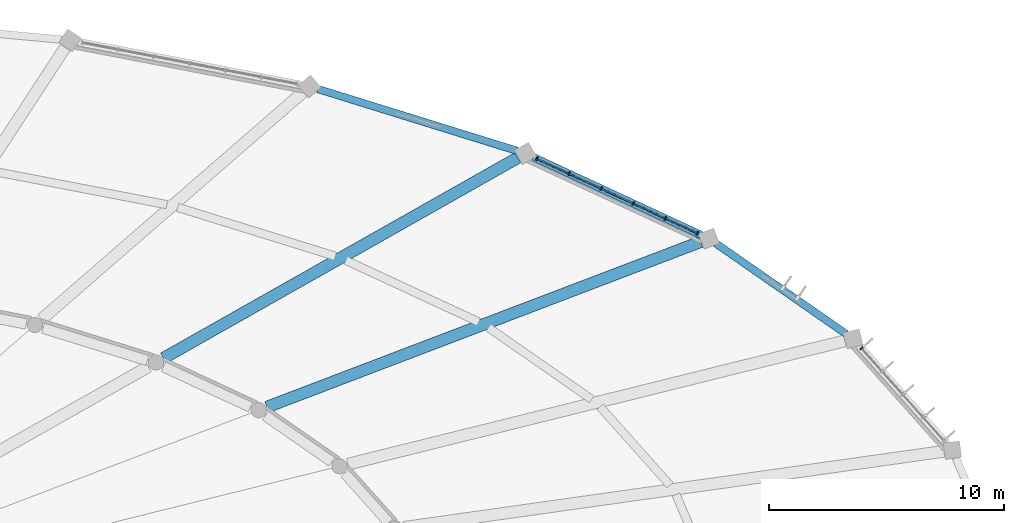
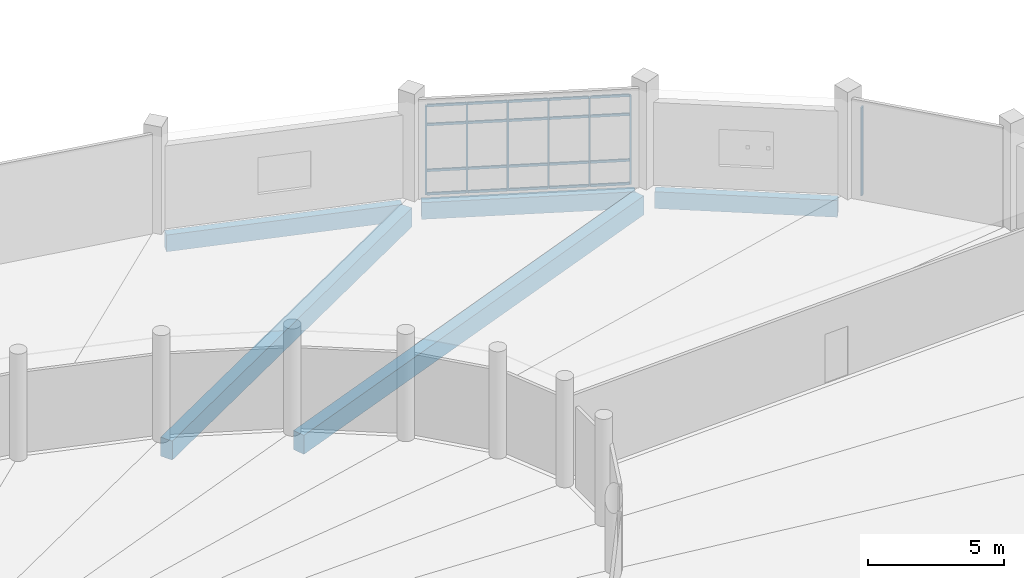
# One storey, part 83 of 179: 27 members, 5 beams, 2 elements without a shape of their own.
"""IFC4 building model written with IfcOpenShell, lengths in metres."""

from ifc_helpers import new_model, si_unit, direction, frame, origin, origin_2d, place, context, subcontext, project, spatial, rectangle, extrude, material, layer, layer_set, material_profile, profile_set, type_object, element, aggregate, save


model = new_model("IFC4")

# Units and contexts
model_context = context("Model", 3, precision=1e-05, world=origin(), true_north=direction((0.0, 1.0)))
body_context = subcontext(model_context, "Body", "Model", "MODEL_VIEW")
ifc_project = project(units=[si_unit("LENGTHUNIT", "METRE"), si_unit("AREAUNIT", "SQUARE_METRE"), si_unit("VOLUMEUNIT", "CUBIC_METRE"), si_unit("PLANEANGLEUNIT", "RADIAN"), si_unit("MASSUNIT", "GRAM", prefix="KILO")], contexts=[model_context])

# Site, building, storey
site_placement = place(None, origin())
site = spatial("IfcSite", under=ifc_project, at=site_placement, CompositionType="ELEMENT")
building_placement = place(site_placement, origin())
building = spatial("IfcBuilding", under=site, at=building_placement, Name="Corvandel Quay Wholesale Market", CompositionType="ELEMENT")
storey_placement = place(building_placement, frame((0.0, 0.0, 6.0)))
storey = spatial("IfcBuildingStorey", under=building, at=storey_placement, Name="L01", CompositionType="ELEMENT", Elevation=6.0)

# Curtain wall, member
ifc_material_1 = material(Name="Bronze anodised aluminium and low-E insulated glazing", Category="aluminium")
ifc_layer_1 = layer(ifc_material_1, 0.18603515625)
ifc_layer_set_1 = layer_set([ifc_layer_1], Name="Bronze anodised aluminium and low-E insulated glazing")
curtain_wall_type_1 = type_object("IfcCurtainWallType", Name="Stick Curtain Wall System CW08 H3720", PredefinedType="NOTDEFINED", material=ifc_layer_set_1)
curtain_wall_1_placement = place(storey_placement, origin())
curtain_wall_1 = element("IfcCurtainWall", 1, at=curtain_wall_1_placement, inside=storey, type_object=curtain_wall_type_1, Name="Curtain Wall CW-0091", PredefinedType="NOTDEFINED")
ifc_material_2 = material(Name="Anodised aluminium 6063-T6", Category="aluminium")
ifc_material_profile_1 = material_profile(ifc_material_2, rectangle(XDim=0.06494140625, YDim=0.14990234375, at=origin_2d()), Name="ALU-MUL-65x150")
ifc_profile_set_1 = profile_set([ifc_material_profile_1], Name="Anodised aluminium 6063-T6")
member_type_1 = type_object("IfcMemberType", Name="Curtain Wall Mullion ML02 65x150", PredefinedType="MULLION", material=ifc_profile_set_1)
member_1_placement = place(storey_placement, frame((163.986328125, 127.9130859375, 0.0), z_axis=(0.0, 0.0, 1.0), x_axis=(-0.665621202286, 0.746289766155, 0.0)))
member_1 = element("IfcMember", 2, at=member_1_placement, type_object=member_type_1, Name="Mullion CW-0091-M04", PredefinedType="MULLION", context=body_context, shape_type="SweptSolid", body=[
    extrude(rectangle(XDim=0.06494140625, YDim=0.14990234375, at=origin_2d()), origin(), (0.0, 0.0, 1.0), 3.949951171875),
])
aggregate(curtain_wall_1, [member_1])

# Curtain wall, members
ifc_layer_2 = layer(ifc_material_1, 0.14990234375)
ifc_layer_set_2 = layer_set([ifc_layer_2], Name="Bronze anodised aluminium and low-E insulated glazing")
curtain_wall_type_2 = type_object("IfcCurtainWallType", Name="Stick Curtain Wall System CW10 H3900", PredefinedType="NOTDEFINED", material=ifc_layer_set_2)
curtain_wall_2_placement = place(storey_placement, origin())
curtain_wall_2 = element("IfcCurtainWall", 3, at=curtain_wall_2_placement, inside=storey, type_object=curtain_wall_type_2, Name="Curtain Wall CW-0093", PredefinedType="NOTDEFINED")
member_2_placement = place(storey_placement, frame((157.00830078125, 132.801513671875, 0.0), z_axis=(0.0, 0.0, 1.0), x_axis=(-0.906970515865, 0.421194115999, 0.0)))
member_2 = element("IfcMember", 4, at=member_2_placement, type_object=member_type_1, Name="Mullion CW-0093-M00", PredefinedType="MULLION", context=body_context, shape_type="SweptSolid", body=[
    extrude(rectangle(XDim=0.06494140625, YDim=0.14990234375, at=origin_2d()), origin(), (0.0, 0.0, 1.0), 3.949951171875),
])
member_3_placement = place(storey_placement, frame((155.64404296875, 133.434814453125, 0.0), z_axis=(0.0, 0.0, 1.0), x_axis=(-0.906970515865, 0.421194115999, 0.0)))
member_3 = element("IfcMember", 5, at=member_3_placement, type_object=member_type_1, Name="Mullion CW-0093-M01", PredefinedType="MULLION", context=body_context, shape_type="SweptSolid", body=[
    extrude(rectangle(XDim=0.06494140625, YDim=0.14990234375, at=origin_2d()), origin(), (0.0, 0.0, 1.0), 3.949951171875),
])
member_4_placement = place(storey_placement, frame((154.280029296875, 134.068359375, 0.0), z_axis=(0.0, 0.0, 1.0), x_axis=(-0.906970515865, 0.421194115999, 0.0)))
member_4 = element("IfcMember", 6, at=member_4_placement, type_object=member_type_1, Name="Mullion CW-0093-M02", PredefinedType="MULLION", context=body_context, shape_type="SweptSolid", body=[
    extrude(rectangle(XDim=0.06494140625, YDim=0.14990234375, at=origin_2d()), origin(), (0.0, 0.0, 1.0), 3.949951171875),
])
member_5_placement = place(storey_placement, frame((152.916015625, 134.70166015625, 0.0), z_axis=(0.0, 0.0, 1.0), x_axis=(-0.906970515865, 0.421194115999, 0.0)))
member_5 = element("IfcMember", 7, at=member_5_placement, type_object=member_type_1, Name="Mullion CW-0093-M03", PredefinedType="MULLION", context=body_context, shape_type="SweptSolid", body=[
    extrude(rectangle(XDim=0.06494140625, YDim=0.14990234375, at=origin_2d()), origin(), (0.0, 0.0, 1.0), 3.949951171875),
])
member_6_placement = place(storey_placement, frame((151.552001953125, 135.335205078125, 0.0), z_axis=(0.0, 0.0, 1.0), x_axis=(-0.906970515865, 0.421194115999, 0.0)))
member_6 = element("IfcMember", 8, at=member_6_placement, type_object=member_type_1, Name="Mullion CW-0093-M04", PredefinedType="MULLION", context=body_context, shape_type="SweptSolid", body=[
    extrude(rectangle(XDim=0.06494140625, YDim=0.14990234375, at=origin_2d()), origin(), (0.0, 0.0, 1.0), 3.949951171875),
])
member_7_placement = place(storey_placement, frame((150.187744140625, 135.968505859375, 0.0), z_axis=(0.0, 0.0, 1.0), x_axis=(-0.906970515865, 0.421194115999, 0.0)))
member_7 = element("IfcMember", 9, at=member_7_placement, type_object=member_type_1, Name="Mullion CW-0093-M05", PredefinedType="MULLION", context=body_context, shape_type="SweptSolid", body=[
    extrude(rectangle(XDim=0.06494140625, YDim=0.14990234375, at=origin_2d()), origin(), (0.0, 0.0, 1.0), 3.949951171875),
])
ifc_material_profile_2 = material_profile(ifc_material_2, rectangle(XDim=0.06005859375, YDim=0.110107421875, at=origin_2d()), Name="ALU-TRN-60x110")
ifc_profile_set_2 = profile_set([ifc_material_profile_2], Name="Anodised aluminium 6063-T6")
member_type_2 = type_object("IfcMemberType", Name="Curtain Wall Transom TR02 60x110", PredefinedType="USERDEFINED", material=ifc_profile_set_2)
member_8_placement = place(storey_placement, frame((156.978759765625, 132.815185546875, 0.0), z_axis=(-0.90701359646, 0.421101336778, 0.0), x_axis=(-0.421101336778, -0.90701359646, 0.0)))
member_8 = element("IfcMember", 10, at=member_8_placement, type_object=member_type_2, Name="Transom CW-0093-T00-0", ObjectType="TRANSOM", PredefinedType="USERDEFINED", context=body_context, shape_type="SweptSolid", body=[
    extrude(rectangle(XDim=0.06005859375, YDim=0.110107421875, at=origin_2d()), origin(), (0.0, 0.0, 1.0), 1.43896484375),
])
member_9_placement = place(storey_placement, frame((156.978759765625, 132.815185546875, 1.050048828125), z_axis=(-0.90701359646, 0.421101336778, 0.0), x_axis=(-0.421101336778, -0.90701359646, 0.0)))
member_9 = element("IfcMember", 11, at=member_9_placement, type_object=member_type_2, Name="Transom CW-0093-T00-1", ObjectType="TRANSOM", PredefinedType="USERDEFINED", context=body_context, shape_type="SweptSolid", body=[
    extrude(rectangle(XDim=0.06005859375, YDim=0.110107421875, at=origin_2d()), origin(), (0.0, 0.0, 1.0), 1.43896484375),
])
member_10_placement = place(storey_placement, frame((156.978759765625, 132.815185546875, 3.10009765625), z_axis=(-0.90701359646, 0.421101336778, 0.0), x_axis=(-0.421101336778, -0.90701359646, 0.0)))
member_10 = element("IfcMember", 12, at=member_10_placement, type_object=member_type_2, Name="Transom CW-0093-T00-2", ObjectType="TRANSOM", PredefinedType="USERDEFINED", context=body_context, shape_type="SweptSolid", body=[
    extrude(rectangle(XDim=0.06005859375, YDim=0.110107421875, at=origin_2d()), origin(), (0.0, 0.0, 1.0), 1.43896484375),
])
member_11_placement = place(storey_placement, frame((156.978759765625, 132.815185546875, 3.949951171875), z_axis=(-0.90701359646, 0.421101336778, 0.0), x_axis=(-0.421101336778, -0.90701359646, 0.0)))
member_11 = element("IfcMember", 13, at=member_11_placement, type_object=member_type_2, Name="Transom CW-0093-T00-3", ObjectType="TRANSOM", PredefinedType="USERDEFINED", context=body_context, shape_type="SweptSolid", body=[
    extrude(rectangle(XDim=0.06005859375, YDim=0.110107421875, at=origin_2d()), origin(), (0.0, 0.0, 1.0), 1.43896484375),
])
member_12_placement = place(storey_placement, frame((155.614501953125, 133.448486328125, 0.0), z_axis=(-0.90691867852, 0.421305721004, 0.0), x_axis=(-0.421305721004, -0.90691867852, 0.0)))
member_12 = element("IfcMember", 14, at=member_12_placement, type_object=member_type_2, Name="Transom CW-0093-T01-0", ObjectType="TRANSOM", PredefinedType="USERDEFINED", context=body_context, shape_type="SweptSolid", body=[
    extrude(rectangle(XDim=0.06005859375, YDim=0.110107421875, at=origin_2d()), origin(), (0.0, 0.0, 1.0), 1.43896484375),
])
member_13_placement = place(storey_placement, frame((155.614501953125, 133.448486328125, 1.050048828125), z_axis=(-0.90691867852, 0.421305721004, 0.0), x_axis=(-0.421305721004, -0.90691867852, 0.0)))
member_13 = element("IfcMember", 15, at=member_13_placement, type_object=member_type_2, Name="Transom CW-0093-T01-1", ObjectType="TRANSOM", PredefinedType="USERDEFINED", context=body_context, shape_type="SweptSolid", body=[
    extrude(rectangle(XDim=0.06005859375, YDim=0.110107421875, at=origin_2d()), origin(), (0.0, 0.0, 1.0), 1.43896484375),
])
member_14_placement = place(storey_placement, frame((155.614501953125, 133.448486328125, 3.10009765625), z_axis=(-0.90691867852, 0.421305721004, 0.0), x_axis=(-0.421305721004, -0.90691867852, 0.0)))
member_14 = element("IfcMember", 16, at=member_14_placement, type_object=member_type_2, Name="Transom CW-0093-T01-2", ObjectType="TRANSOM", PredefinedType="USERDEFINED", context=body_context, shape_type="SweptSolid", body=[
    extrude(rectangle(XDim=0.06005859375, YDim=0.110107421875, at=origin_2d()), origin(), (0.0, 0.0, 1.0), 1.43896484375),
])
member_15_placement = place(storey_placement, frame((155.614501953125, 133.448486328125, 3.949951171875), z_axis=(-0.90691867852, 0.421305721004, 0.0), x_axis=(-0.421305721004, -0.90691867852, 0.0)))
member_15 = element("IfcMember", 17, at=member_15_placement, type_object=member_type_2, Name="Transom CW-0093-T01-3", ObjectType="TRANSOM", PredefinedType="USERDEFINED", context=body_context, shape_type="SweptSolid", body=[
    extrude(rectangle(XDim=0.06005859375, YDim=0.110107421875, at=origin_2d()), origin(), (0.0, 0.0, 1.0), 1.43896484375),
])
member_16_placement = place(storey_placement, frame((154.25048828125, 134.08203125, 0.0), z_axis=(-0.90701359646, 0.421101336778, 0.0), x_axis=(-0.421101336778, -0.90701359646, 0.0)))
member_16 = element("IfcMember", 18, at=member_16_placement, type_object=member_type_2, Name="Transom CW-0093-T02-0", ObjectType="TRANSOM", PredefinedType="USERDEFINED", context=body_context, shape_type="SweptSolid", body=[
    extrude(rectangle(XDim=0.06005859375, YDim=0.110107421875, at=origin_2d()), origin(), (0.0, 0.0, 1.0), 1.43896484375),
])
member_17_placement = place(storey_placement, frame((154.25048828125, 134.08203125, 1.050048828125), z_axis=(-0.90701359646, 0.421101336778, 0.0), x_axis=(-0.421101336778, -0.90701359646, 0.0)))
member_17 = element("IfcMember", 19, at=member_17_placement, type_object=member_type_2, Name="Transom CW-0093-T02-1", ObjectType="TRANSOM", PredefinedType="USERDEFINED", context=body_context, shape_type="SweptSolid", body=[
    extrude(rectangle(XDim=0.06005859375, YDim=0.110107421875, at=origin_2d()), origin(), (0.0, 0.0, 1.0), 1.43896484375),
])
member_18_placement = place(storey_placement, frame((154.25048828125, 134.08203125, 3.10009765625), z_axis=(-0.90701359646, 0.421101336778, 0.0), x_axis=(-0.421101336778, -0.90701359646, 0.0)))
member_18 = element("IfcMember", 20, at=member_18_placement, type_object=member_type_2, Name="Transom CW-0093-T02-2", ObjectType="TRANSOM", PredefinedType="USERDEFINED", context=body_context, shape_type="SweptSolid", body=[
    extrude(rectangle(XDim=0.06005859375, YDim=0.110107421875, at=origin_2d()), origin(), (0.0, 0.0, 1.0), 1.43896484375),
])
member_19_placement = place(storey_placement, frame((154.25048828125, 134.08203125, 3.949951171875), z_axis=(-0.90701359646, 0.421101336778, 0.0), x_axis=(-0.421101336778, -0.90701359646, 0.0)))
member_19 = element("IfcMember", 21, at=member_19_placement, type_object=member_type_2, Name="Transom CW-0093-T02-3", ObjectType="TRANSOM", PredefinedType="USERDEFINED", context=body_context, shape_type="SweptSolid", body=[
    extrude(rectangle(XDim=0.06005859375, YDim=0.110107421875, at=origin_2d()), origin(), (0.0, 0.0, 1.0), 1.43896484375),
])
member_20_placement = place(storey_placement, frame((152.886474609375, 134.71533203125, 0.0), z_axis=(-0.906948788823, 0.421240898363, 0.0), x_axis=(-0.421240898363, -0.906948788823, 0.0)))
member_20 = element("IfcMember", 22, at=member_20_placement, type_object=member_type_2, Name="Transom CW-0093-T03-0", ObjectType="TRANSOM", PredefinedType="USERDEFINED", context=body_context, shape_type="SweptSolid", body=[
    extrude(rectangle(XDim=0.06005859375, YDim=0.110107421875, at=origin_2d()), origin(), (0.0, 0.0, 1.0), 1.43896484375),
])
member_21_placement = place(storey_placement, frame((152.886474609375, 134.71533203125, 1.050048828125), z_axis=(-0.906948788823, 0.421240898363, 0.0), x_axis=(-0.421240898363, -0.906948788823, 0.0)))
member_21 = element("IfcMember", 23, at=member_21_placement, type_object=member_type_2, Name="Transom CW-0093-T03-1", ObjectType="TRANSOM", PredefinedType="USERDEFINED", context=body_context, shape_type="SweptSolid", body=[
    extrude(rectangle(XDim=0.06005859375, YDim=0.110107421875, at=origin_2d()), origin(), (0.0, 0.0, 1.0), 1.43896484375),
])
member_22_placement = place(storey_placement, frame((152.886474609375, 134.71533203125, 3.10009765625), z_axis=(-0.906948788823, 0.421240898363, 0.0), x_axis=(-0.421240898363, -0.906948788823, 0.0)))
member_22 = element("IfcMember", 24, at=member_22_placement, type_object=member_type_2, Name="Transom CW-0093-T03-2", ObjectType="TRANSOM", PredefinedType="USERDEFINED", context=body_context, shape_type="SweptSolid", body=[
    extrude(rectangle(XDim=0.06005859375, YDim=0.110107421875, at=origin_2d()), origin(), (0.0, 0.0, 1.0), 1.43896484375),
])
member_23_placement = place(storey_placement, frame((152.886474609375, 134.71533203125, 3.949951171875), z_axis=(-0.906948788823, 0.421240898363, 0.0), x_axis=(-0.421240898363, -0.906948788823, 0.0)))
member_23 = element("IfcMember", 25, at=member_23_placement, type_object=member_type_2, Name="Transom CW-0093-T03-3", ObjectType="TRANSOM", PredefinedType="USERDEFINED", context=body_context, shape_type="SweptSolid", body=[
    extrude(rectangle(XDim=0.06005859375, YDim=0.110107421875, at=origin_2d()), origin(), (0.0, 0.0, 1.0), 1.43896484375),
])
member_24_placement = place(storey_placement, frame((151.5224609375, 135.348876953125, 0.0), z_axis=(-0.90701359646, 0.421101336778, 0.0), x_axis=(-0.421101336778, -0.90701359646, 0.0)))
member_24 = element("IfcMember", 26, at=member_24_placement, type_object=member_type_2, Name="Transom CW-0093-T04-0", ObjectType="TRANSOM", PredefinedType="USERDEFINED", context=body_context, shape_type="SweptSolid", body=[
    extrude(rectangle(XDim=0.06005859375, YDim=0.110107421875, at=origin_2d()), origin(), (0.0, 0.0, 1.0), 1.43896484375),
])
member_25_placement = place(storey_placement, frame((151.5224609375, 135.348876953125, 1.050048828125), z_axis=(-0.90701359646, 0.421101336778, 0.0), x_axis=(-0.421101336778, -0.90701359646, 0.0)))
member_25 = element("IfcMember", 27, at=member_25_placement, type_object=member_type_2, Name="Transom CW-0093-T04-1", ObjectType="TRANSOM", PredefinedType="USERDEFINED", context=body_context, shape_type="SweptSolid", body=[
    extrude(rectangle(XDim=0.06005859375, YDim=0.110107421875, at=origin_2d()), origin(), (0.0, 0.0, 1.0), 1.43896484375),
])
member_26_placement = place(storey_placement, frame((151.5224609375, 135.348876953125, 3.10009765625), z_axis=(-0.90701359646, 0.421101336778, 0.0), x_axis=(-0.421101336778, -0.90701359646, 0.0)))
member_26 = element("IfcMember", 28, at=member_26_placement, type_object=member_type_2, Name="Transom CW-0093-T04-2", ObjectType="TRANSOM", PredefinedType="USERDEFINED", context=body_context, shape_type="SweptSolid", body=[
    extrude(rectangle(XDim=0.06005859375, YDim=0.110107421875, at=origin_2d()), origin(), (0.0, 0.0, 1.0), 1.43896484375),
])
member_27_placement = place(storey_placement, frame((151.5224609375, 135.348876953125, 3.949951171875), z_axis=(-0.90701359646, 0.421101336778, 0.0), x_axis=(-0.421101336778, -0.90701359646, 0.0)))
member_27 = element("IfcMember", 29, at=member_27_placement, type_object=member_type_2, Name="Transom CW-0093-T04-3", ObjectType="TRANSOM", PredefinedType="USERDEFINED", context=body_context, shape_type="SweptSolid", body=[
    extrude(rectangle(XDim=0.06005859375, YDim=0.110107421875, at=origin_2d()), origin(), (0.0, 0.0, 1.0), 1.43896484375),
])
aggregate(curtain_wall_2, [member_2, member_3, member_4, member_5, member_6, member_7, member_8, member_9, member_10, member_11, member_12, member_13, member_14, member_15, member_16, member_17, member_18, member_19, member_20, member_21, member_22, member_23, member_24, member_25, member_26, member_27])

# Beams
ifc_material_3 = material(Name="Precast concrete C45/55", Category="concrete")
ifc_material_profile_3 = material_profile(ifc_material_3, rectangle(XDim=0.5, YDim=0.85009765625, at=origin_2d()), Name="PC-GIR-500x850")
ifc_profile_set_3 = profile_set([ifc_material_profile_3], Name="Precast concrete C45/55")
beam_type_1 = type_object("IfcBeamType", Name="Fish Hall Radial Girder G04 500x850", PredefinedType="USERDEFINED", material=ifc_profile_set_3)
beam_1_placement = place(storey_placement, frame((157.15234375, 132.4423828125, -0.705078125), z_axis=(-0.93445285879, -0.356086863979, 0.0), x_axis=(0.356086863979, -0.93445285879, 0.0)))
element("IfcBeam", 30, at=beam_1_placement, inside=storey, type_object=beam_type_1, Name="Beam BM-0545", ObjectType="GIRDER", PredefinedType="USERDEFINED", context=body_context, shape_type="SweptSolid", body=[
    extrude(rectangle(XDim=0.5, YDim=0.85009765625, at=origin_2d()), origin(), (0.0, 0.0, 1.0), 19.74169921875),
])
beam_2_placement = place(storey_placement, frame((149.3759765625, 136.013916015625, -0.705078125), z_axis=(-0.870343899496, -0.492444409665, 0.0), x_axis=(0.492444409665, -0.870343899496, 0.0)))
element("IfcBeam", 31, at=beam_2_placement, inside=storey, type_object=beam_type_1, Name="Beam BM-0552", ObjectType="GIRDER", PredefinedType="USERDEFINED", context=body_context, shape_type="SweptSolid", body=[
    extrude(rectangle(XDim=0.5, YDim=0.85009765625, at=origin_2d()), origin(), (0.0, 0.0, 1.0), 17.306884765625),
])
ifc_material_profile_4 = material_profile(ifc_material_3, rectangle(XDim=0.320068359375, YDim=0.75, at=origin_2d()), Name="PC-SPN-320x750")
ifc_profile_set_4 = profile_set([ifc_material_profile_4], Name="Precast concrete C45/55")
beam_type_2 = type_object("IfcBeamType", Name="Pavilion Precast Spandrel SP02 320x750", PredefinedType="SPANDREL", material=ifc_profile_set_4)
beam_3_placement = place(storey_placement, frame((163.322998046875, 128.527099609375, -0.655029296875), z_axis=(-0.821253683959, 0.570563218744, 0.0), x_axis=(-0.570563218744, -0.821253683959, 0.0)))
element("IfcBeam", 32, at=beam_3_placement, inside=storey, type_object=beam_type_2, Name="Beam BM-0536", PredefinedType="SPANDREL", context=body_context, shape_type="SweptSolid", body=[
    extrude(rectangle(XDim=0.320068359375, YDim=0.75, at=origin_2d()), origin(), (0.0, 0.0, 1.0), 6.72265625),
])
beam_4_placement = place(storey_placement, frame((157.162353515625, 132.729736328125, -0.655029296875), z_axis=(-0.90696955816, 0.421196178248, 0.0), x_axis=(-0.421196178248, -0.90696955816, 0.0)))
element("IfcBeam", 33, at=beam_4_placement, inside=storey, type_object=beam_type_2, Name="Beam BM-0543", PredefinedType="SPANDREL", context=body_context, shape_type="SweptSolid", body=[
    extrude(rectangle(XDim=0.320068359375, YDim=0.75, at=origin_2d()), origin(), (0.0, 0.0, 1.0), 7.85986328125),
])
beam_5_placement = place(storey_placement, frame((149.344482421875, 136.3056640625, -0.655029296875), z_axis=(-0.955107686462, 0.296258851784, 0.0), x_axis=(-0.296258851784, -0.955107686462, 0.0)))
element("IfcBeam", 34, at=beam_5_placement, inside=storey, type_object=beam_type_2, Name="Beam BM-0550", PredefinedType="SPANDREL", context=body_context, shape_type="SweptSolid", body=[
    extrude(rectangle(XDim=0.320068359375, YDim=0.75, at=origin_2d()), origin(), (0.0, 0.0, 1.0), 8.863037109375),
])

save(model, "model.ifc")
